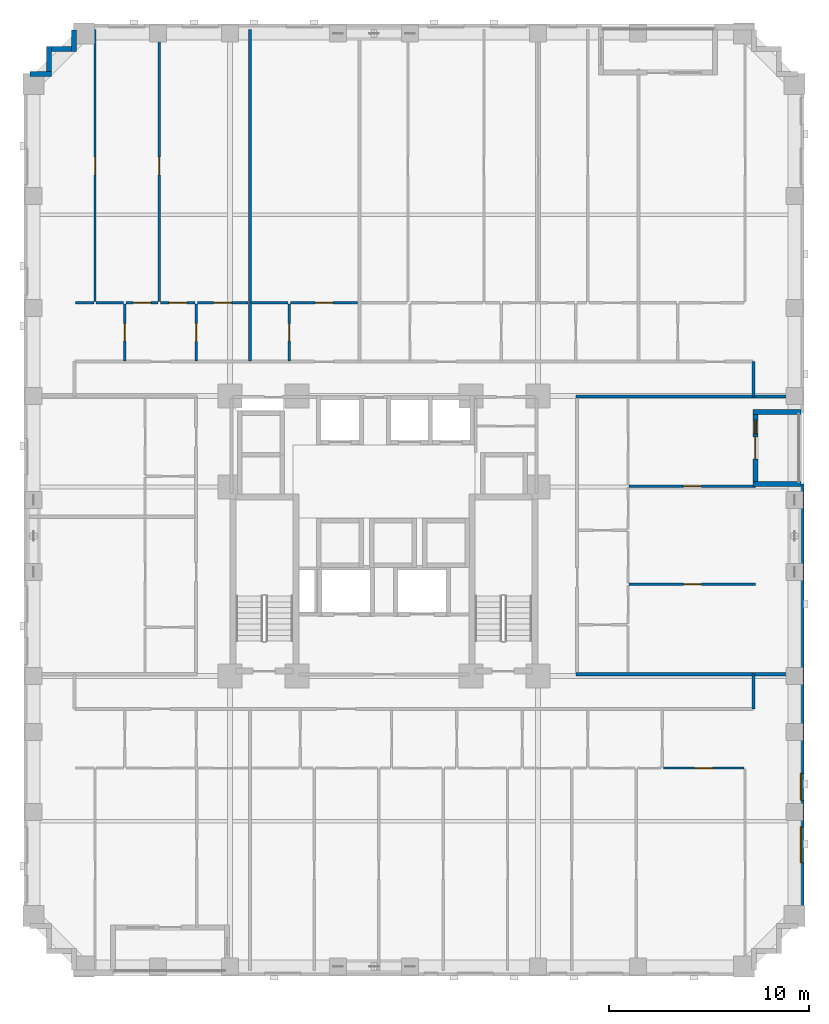
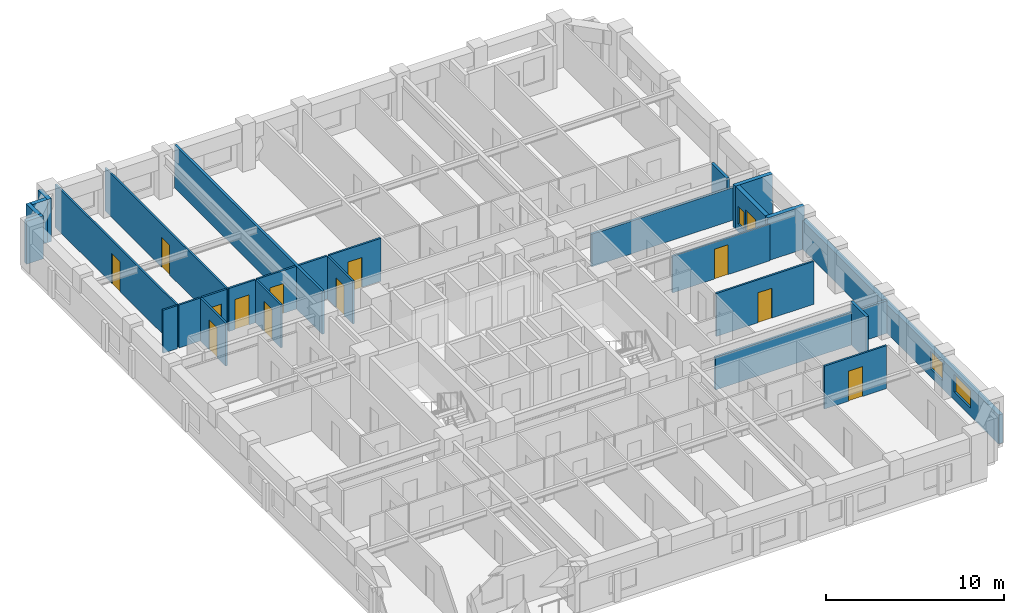
# One storey, part 7 of 14: 28 walls, 13 doors, 3 windows, 16 openings.
"""IFC4 building model written with IfcOpenShell, lengths in metres."""

from ifc_helpers import new_model, si_unit, derived_unit, direction, frame, frame_2d, origin, place, context, subcontext, project, spatial, rectangle, extrude, material, layer, layer_set, type_object, element, fill, save


model = new_model("IFC4")

# Units and contexts
model_context = context("Model", 3, precision=1e-05, world=origin(), true_north=direction((0.0, 1.0)))
body_context = subcontext(model_context, "Body", "Model", "MODEL_VIEW")
ifc_project = project(units=[si_unit("LENGTHUNIT", "METRE"), si_unit("AREAUNIT", "SQUARE_METRE"), si_unit("VOLUMEUNIT", "CUBIC_METRE"), si_unit("PLANEANGLEUNIT", "RADIAN"), si_unit("MASSUNIT", "GRAM", prefix="KILO"), derived_unit("THERMALTRANSMITTANCEUNIT", [(si_unit("MASSUNIT", "GRAM", prefix="KILO"), 1), (si_unit("TIMEUNIT", "SECOND"), -3), (si_unit("THERMODYNAMICTEMPERATUREUNIT", "KELVIN"), -1)])], contexts=[model_context])

# Site, building, storey
site_placement = place(None, origin())
site = spatial("IfcSite", under=ifc_project, at=site_placement, CompositionType="ELEMENT")
building_placement = place(site_placement, origin())
building = spatial("IfcBuilding", under=site, at=building_placement, Name="Korrvale Station Residences", CompositionType="ELEMENT")
storey_placement = place(building_placement, frame((0.0, 0.0, 61.0)))
storey = spatial("IfcBuildingStorey", under=building, at=storey_placement, Name="L16", CompositionType="ELEMENT", Elevation=61.0)

# Wall
ifc_material_1 = material(Name="Precast concrete C45/55", Category="concrete")
ifc_layer_1 = layer(ifc_material_1, 0.260009765625, Name="Precast concrete C45/55")
ifc_layer_set_1 = layer_set([ifc_layer_1], Name="Precast concrete C45/55")
wall_type_1 = type_object("IfcWallType", Name="WAL-EXT-LOG260", PredefinedType="SOLIDWALL", material=ifc_layer_set_1)
wall_1_placement = place(storey_placement, frame((46.340087890625, 28.199951171875, 0.0), z_axis=(0.0, 0.0, 1.0), x_axis=(-1.0, 0.0, 0.0)))
element("IfcWall", 1, at=wall_1_placement, inside=storey, type_object=wall_type_1, Name="L16 Recessed Loggia Wall BAL-L16-E1-L", PredefinedType="SOLIDWALL", context=body_context, shape_type="SweptSolid", body=[
    extrude(rectangle(XDim=2.400146484375, YDim=0.260009765625, at=frame_2d((1.2001953125, 0.0))), origin(), (0.0, 0.0, 1.0), 2.93994140625),
])

# Wall, openings, door, window
wall_2_placement = place(storey_placement, frame((44.070068359375, 28.06591796875, 0.0), z_axis=(0.0, 0.0, 1.0), x_axis=(0.0, -1.0, 0.0)))
wall_2 = element("IfcWall", 2, at=wall_2_placement, inside=storey, type_object=wall_type_1, Name="L16 Recessed Loggia Wall BAL-L16-E1-B", PredefinedType="SOLIDWALL", context=body_context, shape_type="SweptSolid", body=[
    extrude(rectangle(XDim=3.33203125, YDim=0.260009765625, at=frame_2d((1.666015625, 0.0))), origin(), (0.0, 0.0, 1.0), 2.93994140625),
])
opening_1_placement = place(wall_2_placement, frame((1.115966796875, 0.0, 0.0)))
opening_1 = element("IfcOpeningElement", 3, at=opening_1_placement, cuts=wall_2, Name="Opening BD-01", PredefinedType="OPENING", context=body_context, shape_type="SweptSolid", body=[
    extrude(rectangle(XDim=1.10009765625, YDim=2.0, at=frame_2d((0.550048828125, 1.0))), frame((0.0, 0.14013671875, 0.0), z_axis=(0.0, -1.0, 0.0), x_axis=(1.0, 0.0, 0.0)), (0.0, 0.0, 1.0), 0.280029296875),
])
opening_2_placement = place(wall_2_placement, frame((0.27587890625, 0.0, 0.550048828125)))
opening_2 = element("IfcOpeningElement", 4, at=opening_2_placement, cuts=wall_2, Name="Opening W-12", PredefinedType="OPENING", context=body_context, shape_type="SweptSolid", body=[
    extrude(rectangle(XDim=0.679931640625, YDim=1.199951171875, at=frame_2d((0.33984375, 0.60009765625))), frame((0.0, 0.14013671875, 0.0), z_axis=(0.0, -1.0, 0.0), x_axis=(1.0, 0.0, 0.0)), (0.0, 0.0, 1.0), 0.280029296875),
])
ifc_material_2 = material(Name="Exterior thermally broken aluminium glazed balcony door", Category="aluminium")
door_type_1 = type_object("IfcDoorType", Name="DR-EXT-BAL", OperationType="NOTDEFINED", PredefinedType="DOOR", material=ifc_material_2)
door_1_placement = place(opening_1_placement, origin())
door_1 = element("IfcDoor", 5, at=door_1_placement, inside=storey, type_object=door_type_1, Name="L16 Loggia Balcony Door BAL-L16-E1", OperationType="SINGLE_SWING_RIGHT", OverallHeight=2.0, OverallWidth=1.10009765625, PredefinedType="DOOR", context=body_context, shape_type="SweptSolid", body=[
    extrude(rectangle(XDim=1.10009765625, YDim=2.0, at=frame_2d((0.550048828125, 1.0))), frame((0.0, 0.02490234375, 0.0), z_axis=(0.0, -1.0, 0.0), x_axis=(1.0, 0.0, 0.0)), (0.0, 0.0, 1.0), 0.050048828125),
])
fill(opening_1, door_1)
ifc_material_3 = material(Name="Thermally broken aluminium frame with triple low-e glazing", Category="aluminium")
window_type_1 = type_object("IfcWindowType", Name="WIN-W12", PartitioningType="SINGLE_PANEL", PredefinedType="WINDOW", material=ifc_material_3)
window_1_placement = place(opening_2_placement, origin())
window_1 = element("IfcWindow", 6, at=window_1_placement, inside=storey, type_object=window_type_1, Name="L16 Punched Window 28", OverallHeight=1.199951171875, OverallWidth=0.679931640625, PartitioningType="SINGLE_PANEL", PredefinedType="WINDOW", context=body_context, shape_type="SweptSolid", body=[
    extrude(rectangle(XDim=0.679931640625, YDim=1.199951171875, at=frame_2d((0.33984375, 0.60009765625))), frame((0.0, 0.030029296875, 0.0), z_axis=(0.0, -1.0, 0.0), x_axis=(1.0, 0.0, 0.0)), (0.0, 0.0, 1.0), 0.06005859375),
])
fill(opening_2, window_1)

# Walls
wall_3_placement = place(storey_placement, frame((43.93994140625, 24.60009765625, 0.0), z_axis=(0.0, 0.0, 1.0), x_axis=(1.0, 0.0, 0.0)))
element("IfcWall", 7, at=wall_3_placement, inside=storey, type_object=wall_type_1, Name="L16 Recessed Loggia Wall BAL-L16-E1-R", PredefinedType="SOLIDWALL", context=body_context, shape_type="SweptSolid", body=[
    extrude(rectangle(XDim=2.400146484375, YDim=0.260009765625, at=frame_2d((1.2001953125, 0.0))), origin(), (0.0, 0.0, 1.0), 2.93994140625),
])
wall_4_placement = place(storey_placement, frame((7.802001953125, 45.10009765625, 0.0), z_axis=(0.0, 0.0, 1.0), x_axis=(1.0, 0.0, 0.0)))
element("IfcWall", 8, at=wall_4_placement, inside=storey, type_object=wall_type_1, Name="L16 Serrated Corner Precast Step NW-1", PredefinedType="SOLIDWALL", context=body_context, shape_type="SweptSolid", body=[
    extrude(rectangle(XDim=1.077880859375, YDim=0.260009765625, at=frame_2d((0.5390625, 0.0))), origin(), (0.0, 0.0, 1.0), 2.93994140625),
])
wall_5_placement = place(storey_placement, frame((8.75, 45.23193359375, 0.0), z_axis=(0.0, 0.0, 1.0), x_axis=(0.0, 1.0, 0.0)))
element("IfcWall", 9, at=wall_5_placement, inside=storey, type_object=wall_type_1, Name="L16 Serrated Corner Precast Step NW-2", PredefinedType="SOLIDWALL", context=body_context, shape_type="SweptSolid", body=[
    extrude(rectangle(XDim=1.248046875, YDim=0.260009765625, at=frame_2d((0.6240234375, 0.0))), origin(), (0.0, 0.0, 1.0), 2.93994140625),
])
wall_6_placement = place(storey_placement, frame((8.882080078125, 46.35009765625, 0.0), z_axis=(0.0, 0.0, 1.0), x_axis=(1.0, 0.0, 0.0)))
element("IfcWall", 10, at=wall_6_placement, inside=storey, type_object=wall_type_1, Name="L16 Serrated Corner Precast Step NW-3", PredefinedType="SOLIDWALL", context=body_context, shape_type="SweptSolid", body=[
    extrude(rectangle(XDim=0.98583984375, YDim=0.260009765625, at=frame_2d((0.492919921875, 0.0))), origin(), (0.0, 0.0, 1.0), 2.93994140625),
])
wall_7_placement = place(storey_placement, frame((10.0, 46.219970703125, 0.0), z_axis=(0.0, 0.0, 1.0), x_axis=(0.0, 1.0, 0.0)))
element("IfcWall", 11, at=wall_7_placement, inside=storey, type_object=wall_type_1, Name="L16 Serrated Corner Precast Step NW-4", PredefinedType="SOLIDWALL", context=body_context, shape_type="SweptSolid", body=[
    extrude(rectangle(XDim=1.078125, YDim=0.260009765625, at=frame_2d((0.5390625, 0.0))), origin(), (0.0, 0.0, 1.0), 2.93994140625),
])

# Wall, openings, windows
ifc_layer_2 = layer(ifc_material_1, 0.300048828125, Name="Precast concrete C45/55")
ifc_layer_set_2 = layer_set([ifc_layer_2], Name="Precast concrete C45/55")
wall_type_2 = type_object("IfcWallType", Name="WAL-EXT-PC300", PredefinedType="SOLIDWALL", material=ifc_layer_set_2)
wall_8_placement = place(storey_placement, frame((46.35009765625, 24.60009765625, 0.0), z_axis=(0.0, 0.0, 1.0), x_axis=(0.0, -1.0, 0.0)))
wall_8 = element("IfcWall", 12, at=wall_8_placement, inside=storey, type_object=wall_type_2, Name="L16 East Exterior Precast Wall 2", PredefinedType="SOLIDWALL", context=body_context, shape_type="SweptSolid", body=[
    extrude(rectangle(XDim=22.10009765625, YDim=0.300048828125, at=frame_2d((11.050048828125, 0.0))), origin(), (0.0, 0.0, 1.0), 1.97509765625),
])
opening_3_placement = place(wall_8_placement, frame((17.14111328125, 0.0, 0.550048828125)))
opening_3 = element("IfcOpeningElement", 13, at=opening_3_placement, cuts=wall_8, Name="Opening W-09", PredefinedType="OPENING", context=body_context, shape_type="SweptSolid", body=[
    extrude(rectangle(XDim=1.800048828125, YDim=1.199951171875, at=frame_2d((0.89990234375, 0.60009765625))), frame((0.0, 0.16015625, 0.0), z_axis=(0.0, -1.0, 0.0), x_axis=(1.0, 0.0, 0.0)), (0.0, 0.0, 1.0), 0.320068359375),
])
opening_4_placement = place(wall_8_placement, frame((14.465087890625, 0.0, 0.550048828125)))
opening_4 = element("IfcOpeningElement", 14, at=opening_4_placement, cuts=wall_8, Name="Opening W-10", PredefinedType="OPENING", context=body_context, shape_type="SweptSolid", body=[
    extrude(rectangle(XDim=1.35009765625, YDim=1.199951171875, at=frame_2d((0.675048828125, 0.60009765625))), frame((0.0, 0.16015625, 0.0), z_axis=(0.0, -1.0, 0.0), x_axis=(1.0, 0.0, 0.0)), (0.0, 0.0, 1.0), 0.320068359375),
])
window_type_2 = type_object("IfcWindowType", Name="WIN-W09", PartitioningType="DOUBLE_PANEL_VERTICAL", PredefinedType="WINDOW", material=ifc_material_3)
window_2_placement = place(opening_3_placement, origin())
window_2 = element("IfcWindow", 15, at=window_2_placement, inside=storey, type_object=window_type_2, Name="L16 Punched Window 11", OverallHeight=1.199951171875, OverallWidth=1.800048828125, PartitioningType="DOUBLE_PANEL_VERTICAL", PredefinedType="WINDOW", context=body_context, shape_type="SweptSolid", body=[
    extrude(rectangle(XDim=1.800048828125, YDim=1.199951171875, at=frame_2d((0.89990234375, 0.60009765625))), frame((0.0, 0.030029296875, 0.0), z_axis=(0.0, -1.0, 0.0), x_axis=(1.0, 0.0, 0.0)), (0.0, 0.0, 1.0), 0.06005859375),
])
fill(opening_3, window_2)
window_type_3 = type_object("IfcWindowType", Name="WIN-W10", PartitioningType="SINGLE_PANEL", PredefinedType="WINDOW", material=ifc_material_3)
window_3_placement = place(opening_4_placement, origin())
window_3 = element("IfcWindow", 16, at=window_3_placement, inside=storey, type_object=window_type_3, Name="L16 Punched Window 12", OverallHeight=1.199951171875, OverallWidth=1.35009765625, PartitioningType="SINGLE_PANEL", PredefinedType="WINDOW", context=body_context, shape_type="SweptSolid", body=[
    extrude(rectangle(XDim=1.35009765625, YDim=1.199951171875, at=frame_2d((0.675048828125, 0.60009765625))), frame((0.0, 0.030029296875, 0.0), z_axis=(0.0, -1.0, 0.0), x_axis=(1.0, 0.0, 0.0)), (0.0, 0.0, 1.0), 0.06005859375),
])
fill(opening_4, window_3)

# Wall, opening, door
ifc_material_4 = material(Name="Acoustic steel-stud gypsum board partition", Category="steel")
ifc_layer_3 = layer(ifc_material_4, 0.1201171875, Name="Acoustic steel-stud gypsum board partition")
ifc_layer_set_3 = layer_set([ifc_layer_3], Name="Acoustic steel-stud gypsum board partition")
wall_type_3 = type_object("IfcWallType", Name="WAL-PART-125", PredefinedType="PARTITIONING", material=ifc_layer_set_3)
wall_9_placement = place(storey_placement, frame((39.466064453125, 10.39990234375, 0.0), z_axis=(0.0, 0.0, 1.0), x_axis=(1.0, 0.0, 0.0)))
wall_9 = element("IfcWall", 17, at=wall_9_placement, inside=storey, type_object=wall_type_3, Name="L16 Suite Partition U02-H613", PredefinedType="PARTITIONING", context=body_context, shape_type="SweptSolid", body=[
    extrude(rectangle(XDim=4.02392578125, YDim=0.1201171875, at=frame_2d((2.011962890625, 0.0))), origin(), (0.0, 0.0, 1.0), 2.93994140625),
])
opening_5_placement = place(wall_9_placement, frame((1.56201171875, 0.0, 0.0)))
opening_5 = element("IfcOpeningElement", 18, at=opening_5_placement, cuts=wall_9, Name="Opening DI-900", PredefinedType="OPENING", context=body_context, shape_type="SweptSolid", body=[
    extrude(rectangle(XDim=0.89990234375, YDim=2.050048828125, at=frame_2d((0.449951171875, 1.02490234375))), frame((0.0, 0.070068359375, 0.0), z_axis=(0.0, -1.0, 0.0), x_axis=(1.0, 0.0, 0.0)), (0.0, 0.0, 1.0), 0.14013671875),
])
ifc_material_5 = material(Name="Painted solid-core timber interior room door", Category="wood")
door_type_2 = type_object("IfcDoorType", Name="DR-INT-900", OperationType="NOTDEFINED", PredefinedType="DOOR", material=ifc_material_5)
door_2_placement = place(opening_5_placement, origin())
door_2 = element("IfcDoor", 19, at=door_2_placement, inside=storey, type_object=door_type_2, Name="L16 Studio Apartment L16-U02 Storage Closet 3 Door", OperationType="SINGLE_SWING_LEFT", OverallHeight=2.050048828125, OverallWidth=0.89990234375, PredefinedType="DOOR", context=body_context, shape_type="SweptSolid", body=[
    extrude(rectangle(XDim=0.89990234375, YDim=2.050048828125, at=frame_2d((0.449951171875, 1.02490234375))), frame((0.0, 0.02490234375, 0.0), z_axis=(0.0, -1.0, 0.0), x_axis=(1.0, 0.0, 0.0)), (0.0, 0.0, 1.0), 0.050048828125),
])
fill(opening_5, door_2)

wall_10_placement = place(storey_placement, frame((12.5400390625, 30.760009765625, 0.0), z_axis=(0.0, 0.0, 1.0), x_axis=(0.0, 1.0, 0.0)))
wall_10 = element("IfcWall", 20, at=wall_10_placement, inside=storey, type_object=wall_type_3, Name="L16 Suite Partition U03-V01", PredefinedType="PARTITIONING", context=body_context, shape_type="SweptSolid", body=[
    extrude(rectangle(XDim=2.85009765625, YDim=0.1201171875, at=frame_2d((1.425048828125, 0.0))), origin(), (0.0, 0.0, 1.0), 2.93994140625),
])
opening_6_placement = place(wall_10_placement, frame((0.9951171875, 0.0, 0.0)))
opening_6 = element("IfcOpeningElement", 21, at=opening_6_placement, cuts=wall_10, Name="Opening DB-860", PredefinedType="OPENING", context=body_context, shape_type="SweptSolid", body=[
    extrude(rectangle(XDim=0.860107421875, YDim=2.050048828125, at=frame_2d((0.43017578125, 1.02490234375))), frame((0.0, 0.070068359375, 0.0), z_axis=(0.0, -1.0, 0.0), x_axis=(1.0, 0.0, 0.0)), (0.0, 0.0, 1.0), 0.14013671875),
])
ifc_material_6 = material(Name="Moisture-resistant solid-core bathroom door", Category="timber")
door_type_3 = type_object("IfcDoorType", Name="DR-BATH-860", OperationType="NOTDEFINED", PredefinedType="DOOR", material=ifc_material_6)
door_3_placement = place(opening_6_placement, origin())
door_3 = element("IfcDoor", 22, at=door_3_placement, inside=storey, type_object=door_type_3, Name="L16 Studio Apartment L16-U03 Bathroom Door", OperationType="SINGLE_SWING_LEFT", OverallHeight=2.050048828125, OverallWidth=0.860107421875, PredefinedType="DOOR", context=body_context, shape_type="SweptSolid", body=[
    extrude(rectangle(XDim=0.860107421875, YDim=2.050048828125, at=frame_2d((0.43017578125, 1.02490234375))), frame((0.0, 0.02490234375, 0.0), z_axis=(0.0, -1.0, 0.0), x_axis=(1.0, 0.0, 0.0)), (0.0, 0.0, 1.0), 0.050048828125),
])
fill(opening_6, door_3)

# Walls
wall_11_placement = place(storey_placement, frame((10.080078125, 33.669921875, 0.0), z_axis=(0.0, 0.0, 1.0), x_axis=(1.0, 0.0, 0.0)))
element("IfcWall", 23, at=wall_11_placement, inside=storey, type_object=wall_type_3, Name="L16 Suite Partition U03-H03", PredefinedType="PARTITIONING", context=body_context, shape_type="SweptSolid", body=[
    extrude(rectangle(XDim=0.909912109375, YDim=0.1201171875, at=frame_2d((0.455078125, 0.0))), origin(), (0.0, 0.0, 1.0), 2.93994140625),
])
wall_12_placement = place(storey_placement, frame((11.110107421875, 33.669921875, 0.0), z_axis=(0.0, 0.0, 1.0), x_axis=(1.0, 0.0, 0.0)))
element("IfcWall", 24, at=wall_12_placement, inside=storey, type_object=wall_type_3, Name="L16 Suite Partition U03-H04", PredefinedType="PARTITIONING", context=body_context, shape_type="SweptSolid", body=[
    extrude(rectangle(XDim=1.369873046875, YDim=0.1201171875, at=frame_2d((0.68505859375, 0.0))), origin(), (0.0, 0.0, 1.0), 2.93994140625),
])

# Wall, opening, door
wall_13_placement = place(storey_placement, frame((16.110107421875, 30.760009765625, 0.0), z_axis=(0.0, 0.0, 1.0), x_axis=(0.0, 1.0, 0.0)))
wall_13 = element("IfcWall", 25, at=wall_13_placement, inside=storey, type_object=wall_type_3, Name="L16 Suite Partition U03-V12", PredefinedType="PARTITIONING", context=body_context, shape_type="SweptSolid", body=[
    extrude(rectangle(XDim=2.85009765625, YDim=0.1201171875, at=frame_2d((1.425048828125, 0.0))), origin(), (0.0, 0.0, 1.0), 2.93994140625),
])
opening_7_placement = place(wall_13_placement, frame((0.97509765625, 0.0, 0.0)))
opening_7 = element("IfcOpeningElement", 26, at=opening_7_placement, cuts=wall_13, Name="Opening DI-900", PredefinedType="OPENING", context=body_context, shape_type="SweptSolid", body=[
    extrude(rectangle(XDim=0.89990234375, YDim=2.050048828125, at=frame_2d((0.449951171875, 1.02490234375))), frame((0.0, 0.070068359375, 0.0), z_axis=(0.0, -1.0, 0.0), x_axis=(1.0, 0.0, 0.0)), (0.0, 0.0, 1.0), 0.14013671875),
])
door_4_placement = place(opening_7_placement, origin())
door_4 = element("IfcDoor", 27, at=door_4_placement, inside=storey, type_object=door_type_2, Name="L16 Studio Apartment L16-U03 Kitchen Door", OperationType="SINGLE_SWING_RIGHT", OverallHeight=2.050048828125, OverallWidth=0.89990234375, PredefinedType="DOOR", context=body_context, shape_type="SweptSolid", body=[
    extrude(rectangle(XDim=0.89990234375, YDim=2.050048828125, at=frame_2d((0.449951171875, 1.02490234375))), frame((0.0, 0.02490234375, 0.0), z_axis=(0.0, -1.0, 0.0), x_axis=(1.0, 0.0, 0.0)), (0.0, 0.0, 1.0), 0.050048828125),
])
fill(opening_7, door_4)

wall_14_placement = place(storey_placement, frame((12.60009765625, 33.669921875, 0.0), z_axis=(0.0, 0.0, 1.0), x_axis=(1.0, 0.0, 0.0)))
wall_14 = element("IfcWall", 28, at=wall_14_placement, inside=storey, type_object=wall_type_3, Name="L16 Suite Partition U03-H14", PredefinedType="PARTITIONING", context=body_context, shape_type="SweptSolid", body=[
    extrude(rectangle(XDim=1.60986328125, YDim=0.1201171875, at=frame_2d((0.804931640625, 0.0))), origin(), (0.0, 0.0, 1.0), 2.93994140625),
])
opening_8_placement = place(wall_14_placement, frame((0.35498046875, 0.0, 0.0)))
opening_8 = element("IfcOpeningElement", 29, at=opening_8_placement, cuts=wall_14, Name="Opening DI-900", PredefinedType="OPENING", context=body_context, shape_type="SweptSolid", body=[
    extrude(rectangle(XDim=0.89990234375, YDim=2.050048828125, at=frame_2d((0.449951171875, 1.02490234375))), frame((0.0, 0.070068359375, 0.0), z_axis=(0.0, -1.0, 0.0), x_axis=(1.0, 0.0, 0.0)), (0.0, 0.0, 1.0), 0.14013671875),
])
door_5_placement = place(opening_8_placement, origin())
door_5 = element("IfcDoor", 30, at=door_5_placement, inside=storey, type_object=door_type_2, Name="L16 Studio Apartment L16-U03 Kitchen Door", OperationType="SINGLE_SWING_LEFT", OverallHeight=2.050048828125, OverallWidth=0.89990234375, PredefinedType="DOOR", context=body_context, shape_type="SweptSolid", body=[
    extrude(rectangle(XDim=0.89990234375, YDim=2.050048828125, at=frame_2d((0.449951171875, 1.02490234375))), frame((0.0, 0.02490234375, 0.0), z_axis=(0.0, -1.0, 0.0), x_axis=(1.0, 0.0, 0.0)), (0.0, 0.0, 1.0), 0.050048828125),
])
fill(opening_8, door_5)

wall_15_placement = place(storey_placement, frame((14.330078125, 33.669921875, 0.0), z_axis=(0.0, 0.0, 1.0), x_axis=(1.0, 0.0, 0.0)))
wall_15 = element("IfcWall", 31, at=wall_15_placement, inside=storey, type_object=wall_type_3, Name="L16 Suite Partition U03-H15", PredefinedType="PARTITIONING", context=body_context, shape_type="SweptSolid", body=[
    extrude(rectangle(XDim=1.719970703125, YDim=0.1201171875, at=frame_2d((0.85986328125, 0.0))), origin(), (0.0, 0.0, 1.0), 2.93994140625),
])
opening_9_placement = place(wall_15_placement, frame((0.409912109375, 0.0, 0.0)))
opening_9 = element("IfcOpeningElement", 32, at=opening_9_placement, cuts=wall_15, Name="Opening DI-900", PredefinedType="OPENING", context=body_context, shape_type="SweptSolid", body=[
    extrude(rectangle(XDim=0.89990234375, YDim=2.050048828125, at=frame_2d((0.449951171875, 1.02490234375))), frame((0.0, 0.070068359375, 0.0), z_axis=(0.0, -1.0, 0.0), x_axis=(1.0, 0.0, 0.0)), (0.0, 0.0, 1.0), 0.14013671875),
])
door_6_placement = place(opening_9_placement, origin())
door_6 = element("IfcDoor", 33, at=door_6_placement, inside=storey, type_object=door_type_2, Name="L16 Studio Apartment L16-U03 Kitchen Door", OperationType="SINGLE_SWING_RIGHT", OverallHeight=2.050048828125, OverallWidth=0.89990234375, PredefinedType="DOOR", context=body_context, shape_type="SweptSolid", body=[
    extrude(rectangle(XDim=0.89990234375, YDim=2.050048828125, at=frame_2d((0.449951171875, 1.02490234375))), frame((0.0, 0.02490234375, 0.0), z_axis=(0.0, -1.0, 0.0), x_axis=(1.0, 0.0, 0.0)), (0.0, 0.0, 1.0), 0.050048828125),
])
fill(opening_9, door_6)

wall_16_placement = place(storey_placement, frame((16.169921875, 33.669921875, 0.0), z_axis=(0.0, 0.0, 1.0), x_axis=(1.0, 0.0, 0.0)))
wall_16 = element("IfcWall", 34, at=wall_16_placement, inside=storey, type_object=wall_type_3, Name="L16 Suite Partition U03-H25", PredefinedType="PARTITIONING", context=body_context, shape_type="SweptSolid", body=[
    extrude(rectangle(XDim=2.526123046875, YDim=0.1201171875, at=frame_2d((1.26318359375, 0.0))), origin(), (0.0, 0.0, 1.0), 2.93994140625),
])
opening_10_placement = place(wall_16_placement, frame((0.81298828125, 0.0, 0.0)))
opening_10 = element("IfcOpeningElement", 35, at=opening_10_placement, cuts=wall_16, Name="Opening DI-900", PredefinedType="OPENING", context=body_context, shape_type="SweptSolid", body=[
    extrude(rectangle(XDim=0.89990234375, YDim=2.050048828125, at=frame_2d((0.449951171875, 1.02490234375))), frame((0.0, 0.070068359375, 0.0), z_axis=(0.0, -1.0, 0.0), x_axis=(1.0, 0.0, 0.0)), (0.0, 0.0, 1.0), 0.14013671875),
])
door_7_placement = place(opening_10_placement, origin())
door_7 = element("IfcDoor", 36, at=door_7_placement, inside=storey, type_object=door_type_2, Name="L16 Studio Apartment L16-U03 Utility and Laundry Room Door", OperationType="SINGLE_SWING_LEFT", OverallHeight=2.050048828125, OverallWidth=0.89990234375, PredefinedType="DOOR", context=body_context, shape_type="SweptSolid", body=[
    extrude(rectangle(XDim=0.89990234375, YDim=2.050048828125, at=frame_2d((0.449951171875, 1.02490234375))), frame((0.0, 0.02490234375, 0.0), z_axis=(0.0, -1.0, 0.0), x_axis=(1.0, 0.0, 0.0)), (0.0, 0.0, 1.0), 0.050048828125),
])
fill(opening_10, door_7)

wall_17_placement = place(storey_placement, frame((11.050048828125, 33.72998046875, 0.0), z_axis=(0.0, 0.0, 1.0), x_axis=(0.0, 1.0, 0.0)))
wall_17 = element("IfcWall", 37, at=wall_17_placement, inside=storey, type_object=wall_type_3, Name="L16 Suite Partition U03-V34", PredefinedType="PARTITIONING", context=body_context, shape_type="SweptSolid", body=[
    extrude(rectangle(XDim=13.590087890625, YDim=0.1201171875, at=frame_2d((6.794921875, 0.0))), origin(), (0.0, 0.0, 1.0), 2.93994140625),
])
opening_11_placement = place(wall_17_placement, frame((6.330078125, 0.0, 0.0)))
opening_11 = element("IfcOpeningElement", 38, at=opening_11_placement, cuts=wall_17, Name="Opening DI-900", PredefinedType="OPENING", context=body_context, shape_type="SweptSolid", body=[
    extrude(rectangle(XDim=0.89990234375, YDim=2.050048828125, at=frame_2d((0.449951171875, 1.02490234375))), frame((0.0, 0.070068359375, 0.0), z_axis=(0.0, -1.0, 0.0), x_axis=(1.0, 0.0, 0.0)), (0.0, 0.0, 1.0), 0.14013671875),
])
door_8_placement = place(opening_11_placement, origin())
door_8 = element("IfcDoor", 39, at=door_8_placement, inside=storey, type_object=door_type_2, Name="L16 Studio Apartment L16-U03 Walk-In Wardrobe Door", OperationType="SINGLE_SWING_RIGHT", OverallHeight=2.050048828125, OverallWidth=0.89990234375, PredefinedType="DOOR", context=body_context, shape_type="SweptSolid", body=[
    extrude(rectangle(XDim=0.89990234375, YDim=2.050048828125, at=frame_2d((0.449951171875, 1.02490234375))), frame((0.0, 0.02490234375, 0.0), z_axis=(0.0, -1.0, 0.0), x_axis=(1.0, 0.0, 0.0)), (0.0, 0.0, 1.0), 0.050048828125),
])
fill(opening_11, door_8)

wall_18_placement = place(storey_placement, frame((14.27001953125, 33.72998046875, 0.0), z_axis=(0.0, 0.0, 1.0), x_axis=(0.0, 1.0, 0.0)))
wall_18 = element("IfcWall", 40, at=wall_18_placement, inside=storey, type_object=wall_type_3, Name="L16 Suite Partition U03-V45", PredefinedType="PARTITIONING", context=body_context, shape_type="SweptSolid", body=[
    extrude(rectangle(XDim=13.590087890625, YDim=0.1201171875, at=frame_2d((6.794921875, 0.0))), origin(), (0.0, 0.0, 1.0), 2.93994140625),
])
opening_12_placement = place(wall_18_placement, frame((6.330078125, 0.0, 0.0)))
opening_12 = element("IfcOpeningElement", 41, at=opening_12_placement, cuts=wall_18, Name="Opening DI-900", PredefinedType="OPENING", context=body_context, shape_type="SweptSolid", body=[
    extrude(rectangle(XDim=0.89990234375, YDim=2.050048828125, at=frame_2d((0.449951171875, 1.02490234375))), frame((0.0, 0.070068359375, 0.0), z_axis=(0.0, -1.0, 0.0), x_axis=(1.0, 0.0, 0.0)), (0.0, 0.0, 1.0), 0.14013671875),
])
door_9_placement = place(opening_12_placement, origin())
door_9 = element("IfcDoor", 42, at=door_9_placement, inside=storey, type_object=door_type_2, Name="L16 Studio Apartment L16-U03 Walk-In Wardrobe Door", OperationType="SINGLE_SWING_LEFT", OverallHeight=2.050048828125, OverallWidth=0.89990234375, PredefinedType="DOOR", context=body_context, shape_type="SweptSolid", body=[
    extrude(rectangle(XDim=0.89990234375, YDim=2.050048828125, at=frame_2d((0.449951171875, 1.02490234375))), frame((0.0, 0.02490234375, 0.0), z_axis=(0.0, -1.0, 0.0), x_axis=(1.0, 0.0, 0.0)), (0.0, 0.0, 1.0), 0.050048828125),
])
fill(opening_12, door_9)

wall_19_placement = place(storey_placement, frame((20.76611328125, 30.760009765625, 0.0), z_axis=(0.0, 0.0, 1.0), x_axis=(0.0, 1.0, 0.0)))
wall_19 = element("IfcWall", 43, at=wall_19_placement, inside=storey, type_object=wall_type_3, Name="L16 Suite Partition U04-V01", PredefinedType="PARTITIONING", context=body_context, shape_type="SweptSolid", body=[
    extrude(rectangle(XDim=2.85009765625, YDim=0.1201171875, at=frame_2d((1.425048828125, 0.0))), origin(), (0.0, 0.0, 1.0), 2.93994140625),
])
opening_13_placement = place(wall_19_placement, frame((0.9951171875, 0.0, 0.0)))
opening_13 = element("IfcOpeningElement", 44, at=opening_13_placement, cuts=wall_19, Name="Opening DB-860", PredefinedType="OPENING", context=body_context, shape_type="SweptSolid", body=[
    extrude(rectangle(XDim=0.860107421875, YDim=2.050048828125, at=frame_2d((0.43017578125, 1.02490234375))), frame((0.0, 0.070068359375, 0.0), z_axis=(0.0, -1.0, 0.0), x_axis=(1.0, 0.0, 0.0)), (0.0, 0.0, 1.0), 0.14013671875),
])
door_10_placement = place(opening_13_placement, origin())
door_10 = element("IfcDoor", 45, at=door_10_placement, inside=storey, type_object=door_type_3, Name="L16 Studio Apartment L16-U04 Bathroom Door", OperationType="SINGLE_SWING_RIGHT", OverallHeight=2.050048828125, OverallWidth=0.860107421875, PredefinedType="DOOR", context=body_context, shape_type="SweptSolid", body=[
    extrude(rectangle(XDim=0.860107421875, YDim=2.050048828125, at=frame_2d((0.43017578125, 1.02490234375))), frame((0.0, 0.02490234375, 0.0), z_axis=(0.0, -1.0, 0.0), x_axis=(1.0, 0.0, 0.0)), (0.0, 0.0, 1.0), 0.050048828125),
])
fill(opening_13, door_10)

# Wall
wall_20_placement = place(storey_placement, frame((18.85595703125, 33.669921875, 0.0), z_axis=(0.0, 0.0, 1.0), x_axis=(1.0, 0.0, 0.0)))
element("IfcWall", 46, at=wall_20_placement, inside=storey, type_object=wall_type_3, Name="L16 Suite Partition U04-H02", PredefinedType="PARTITIONING", context=body_context, shape_type="SweptSolid", body=[
    extrude(rectangle(XDim=1.85009765625, YDim=0.1201171875, at=frame_2d((0.925048828125, 0.0))), origin(), (0.0, 0.0, 1.0), 2.93994140625),
])

# Wall, opening, door
wall_21_placement = place(storey_placement, frame((20.825927734375, 33.669921875, 0.0), z_axis=(0.0, 0.0, 1.0), x_axis=(1.0, 0.0, 0.0)))
wall_21 = element("IfcWall", 47, at=wall_21_placement, inside=storey, type_object=wall_type_3, Name="L16 Suite Partition U04-H12", PredefinedType="PARTITIONING", context=body_context, shape_type="SweptSolid", body=[
    extrude(rectangle(XDim=3.35302734375, YDim=0.1201171875, at=frame_2d((1.676513671875, 0.0))), origin(), (0.0, 0.0, 1.0), 2.93994140625),
])
opening_14_placement = place(wall_21_placement, frame((1.22607421875, 0.0, 0.0)))
opening_14 = element("IfcOpeningElement", 48, at=opening_14_placement, cuts=wall_21, Name="Opening DI-900", PredefinedType="OPENING", context=body_context, shape_type="SweptSolid", body=[
    extrude(rectangle(XDim=0.89990234375, YDim=2.050048828125, at=frame_2d((0.449951171875, 1.02490234375))), frame((0.0, 0.070068359375, 0.0), z_axis=(0.0, -1.0, 0.0), x_axis=(1.0, 0.0, 0.0)), (0.0, 0.0, 1.0), 0.14013671875),
])
door_11_placement = place(opening_14_placement, origin())
door_11 = element("IfcDoor", 49, at=door_11_placement, inside=storey, type_object=door_type_2, Name="L16 Studio Apartment L16-U04 Kitchen Door", OperationType="SINGLE_SWING_LEFT", OverallHeight=2.050048828125, OverallWidth=0.89990234375, PredefinedType="DOOR", context=body_context, shape_type="SweptSolid", body=[
    extrude(rectangle(XDim=0.89990234375, YDim=2.050048828125, at=frame_2d((0.449951171875, 1.02490234375))), frame((0.0, 0.02490234375, 0.0), z_axis=(0.0, -1.0, 0.0), x_axis=(1.0, 0.0, 0.0)), (0.0, 0.0, 1.0), 0.050048828125),
])
fill(opening_14, door_11)

wall_22_placement = place(storey_placement, frame((37.760009765625, 19.577880859375, 0.0), z_axis=(0.0, 0.0, 1.0), x_axis=(1.0, 0.0, 0.0)))
wall_22 = element("IfcWall", 50, at=wall_22_placement, inside=storey, type_object=wall_type_3, Name="L16 Suite Partition U09-H34", PredefinedType="PARTITIONING", context=body_context, shape_type="SweptSolid", body=[
    extrude(rectangle(XDim=6.31005859375, YDim=0.1201171875, at=frame_2d((3.155029296875, 0.0))), origin(), (0.0, 0.0, 1.0), 2.93994140625),
])
opening_15_placement = place(wall_22_placement, frame((2.705078125, 0.0, 0.0)))
opening_15 = element("IfcOpeningElement", 51, at=opening_15_placement, cuts=wall_22, Name="Opening DI-900", PredefinedType="OPENING", context=body_context, shape_type="SweptSolid", body=[
    extrude(rectangle(XDim=0.89990234375, YDim=2.050048828125, at=frame_2d((0.449951171875, 1.02490234375))), frame((0.0, 0.070068359375, 0.0), z_axis=(0.0, -1.0, 0.0), x_axis=(1.0, 0.0, 0.0)), (0.0, 0.0, 1.0), 0.14013671875),
])
door_12_placement = place(opening_15_placement, origin())
door_12 = element("IfcDoor", 52, at=door_12_placement, inside=storey, type_object=door_type_2, Name="L16 Apartment 2BR L16-U09 Bedroom 1 Door", OperationType="SINGLE_SWING_RIGHT", OverallHeight=2.050048828125, OverallWidth=0.89990234375, PredefinedType="DOOR", context=body_context, shape_type="SweptSolid", body=[
    extrude(rectangle(XDim=0.89990234375, YDim=2.050048828125, at=frame_2d((0.449951171875, 1.02490234375))), frame((0.0, 0.02490234375, 0.0), z_axis=(0.0, -1.0, 0.0), x_axis=(1.0, 0.0, 0.0)), (0.0, 0.0, 1.0), 0.050048828125),
])
fill(opening_15, door_12)

wall_23_placement = place(storey_placement, frame((37.760009765625, 24.491943359375, 0.0), z_axis=(0.0, 0.0, 1.0), x_axis=(1.0, 0.0, 0.0)))
wall_23 = element("IfcWall", 53, at=wall_23_placement, inside=storey, type_object=wall_type_3, Name="L16 Suite Partition U09-H45", PredefinedType="PARTITIONING", context=body_context, shape_type="SweptSolid", body=[
    extrude(rectangle(XDim=6.31005859375, YDim=0.1201171875, at=frame_2d((3.155029296875, 0.0))), origin(), (0.0, 0.0, 1.0), 2.508056640625),
])
opening_16_placement = place(wall_23_placement, frame((2.705078125, 0.0, 0.0)))
opening_16 = element("IfcOpeningElement", 54, at=opening_16_placement, cuts=wall_23, Name="Opening DI-900", PredefinedType="OPENING", context=body_context, shape_type="SweptSolid", body=[
    extrude(rectangle(XDim=0.89990234375, YDim=2.050048828125, at=frame_2d((0.449951171875, 1.02490234375))), frame((0.0, 0.070068359375, 0.0), z_axis=(0.0, -1.0, 0.0), x_axis=(1.0, 0.0, 0.0)), (0.0, 0.0, 1.0), 0.14013671875),
])
door_13_placement = place(opening_16_placement, origin())
door_13 = element("IfcDoor", 55, at=door_13_placement, inside=storey, type_object=door_type_2, Name="L16 Apartment 2BR L16-U09 Living and Dining Room Door", OperationType="SINGLE_SWING_LEFT", OverallHeight=2.050048828125, OverallWidth=0.89990234375, PredefinedType="DOOR", context=body_context, shape_type="SweptSolid", body=[
    extrude(rectangle(XDim=0.89990234375, YDim=2.050048828125, at=frame_2d((0.449951171875, 1.02490234375))), frame((0.0, 0.02490234375, 0.0), z_axis=(0.0, -1.0, 0.0), x_axis=(1.0, 0.0, 0.0)), (0.0, 0.0, 1.0), 0.050048828125),
])
fill(opening_16, door_13)

# Walls
ifc_material_7 = material(Name="Fire-rated twin-stud gypsum and mineral wool shaftwall assembly", Category="gypsum")
ifc_layer_4 = layer(ifc_material_7, 0.159912109375, Name="Fire-rated twin-stud gypsum and mineral wool shaftwall assembly")
ifc_layer_set_4 = layer_set([ifc_layer_4], Name="Fire-rated twin-stud gypsum and mineral wool shaftwall assembly")
wall_type_4 = type_object("IfcWallType", Name="WAL-PART-200", PredefinedType="PARTITIONING", material=ifc_layer_set_4)
for number, where, z_axis, x_axis, name in (
    (56, (43.97998046875, 13.35009765625, 0.0), (0.0, 0.0, 1.0), (0.0, 1.0, 0.0), "L16 Corridor South East Cap"),
    (57, (43.97998046875, 28.97998046875, 0.0), (0.0, 0.0, 1.0), (0.0, 1.0, 0.0), "L16 Corridor North East Cap"),
):
    element("IfcWall", number, at=place(storey_placement, frame(where, z_axis=z_axis, x_axis=x_axis)), inside=storey, type_object=wall_type_4, Name=name, PredefinedType="PARTITIONING", context=body_context, shape_type="SweptSolid", body=[
        extrude(rectangle(XDim=1.739990234375, YDim=0.159912109375, at=frame_2d((0.8701171875, 0.0))), origin(), (0.0, 0.0, 1.0), 2.93994140625),
    ])
for number, where, z_axis, x_axis, name in (
    (58, (35.110107421875, 15.090087890625, 0.0), (0.0, 0.0, 1.0), (1.0, 0.0, 0.0), "L16 East Wing South Corridor Wall"),
    (59, (35.110107421875, 28.97998046875, 0.0), (0.0, 0.0, 1.0), (1.0, 0.0, 0.0), "L16 East Wing North Corridor Wall"),
):
    element("IfcWall", number, at=place(storey_placement, frame(where, z_axis=z_axis, x_axis=x_axis)), inside=storey, type_object=wall_type_4, Name=name, PredefinedType="PARTITIONING", context=body_context, shape_type="SweptSolid", body=[
        extrude(rectangle(XDim=11.10986328125, YDim=0.159912109375, at=frame_2d((5.554931640625, 0.0))), origin(), (0.0, 0.0, 1.0), 2.23193359375),
    ])
wall_24_placement = place(storey_placement, frame((18.7958984375, 30.760009765625, 0.0), z_axis=(0.0, 0.0, 1.0), x_axis=(0.0, 1.0, 0.0)))
element("IfcWall", 60, at=wall_24_placement, inside=storey, type_object=wall_type_4, Name="L16 Demising Wall U04-W", PredefinedType="PARTITIONING", context=body_context, shape_type="SweptSolid", body=[
    extrude(rectangle(XDim=16.56005859375, YDim=0.159912109375, at=frame_2d((8.280029296875, 0.0))), origin(), (0.0, 0.0, 1.0), 2.93994140625),
])

save(model, "model.ifc")
